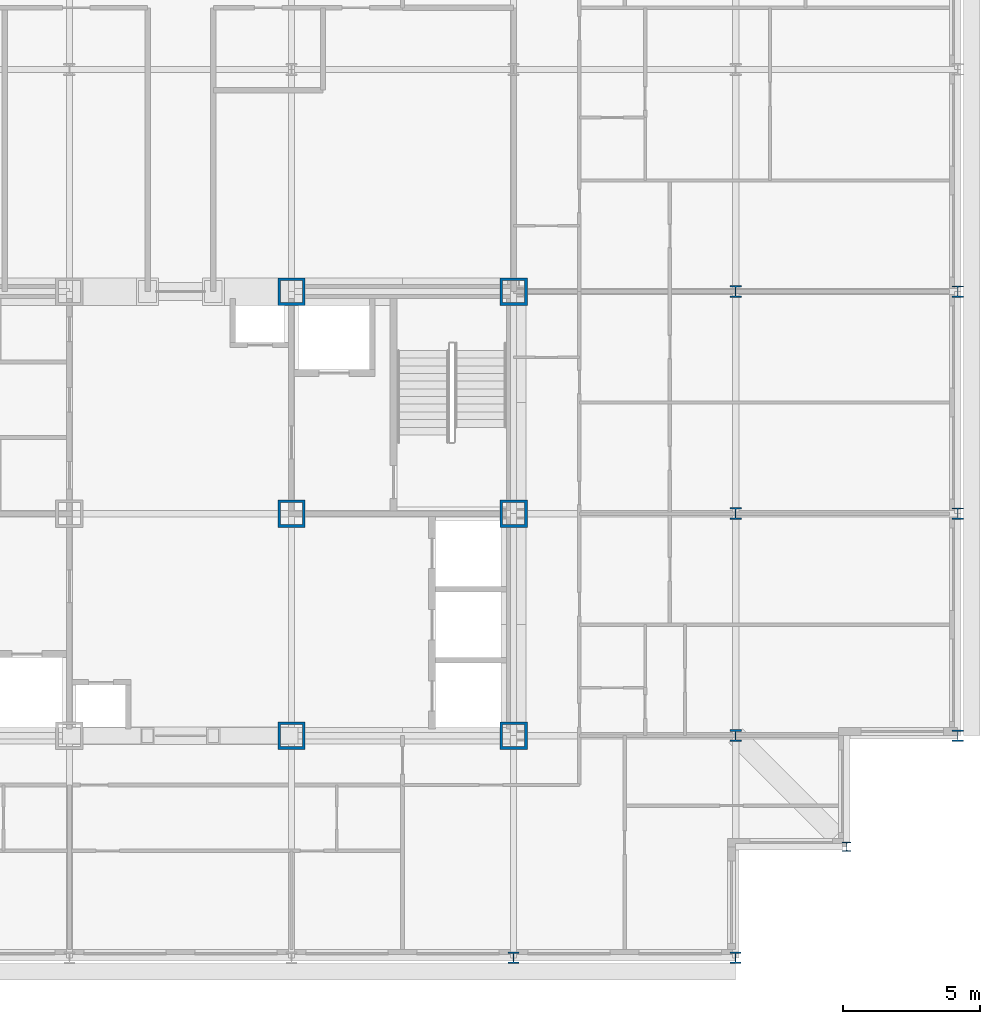
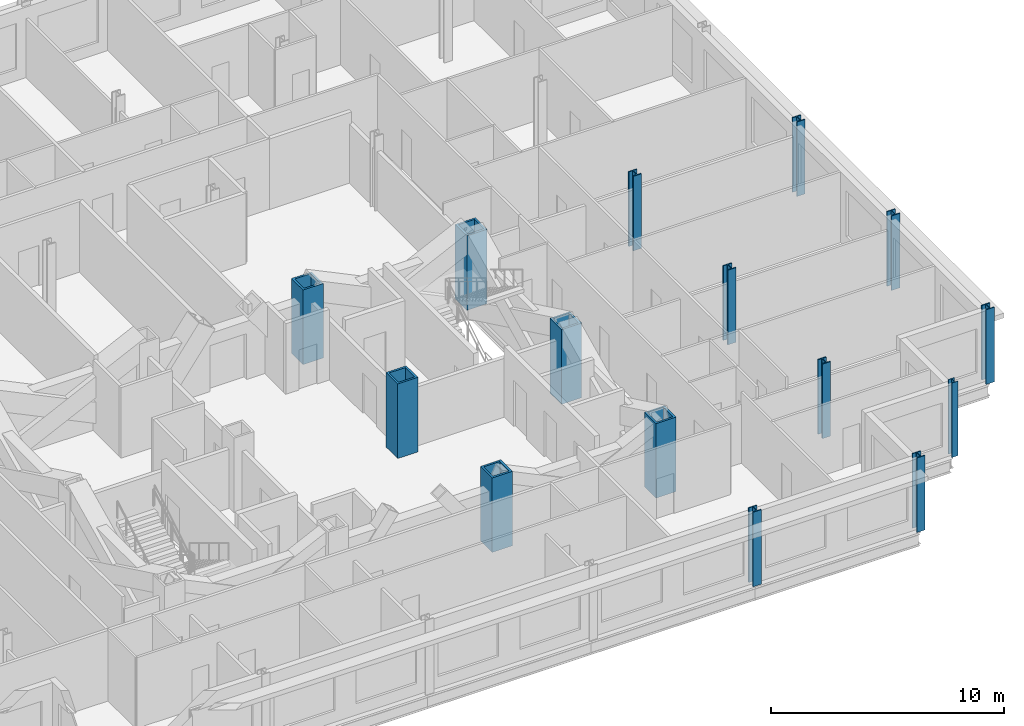
# One storey, part 2 of 15: 15 columns.
"""IFC4 building model written with IfcOpenShell, lengths in metres."""

import ifcopenshell
import ifcopenshell.guid

model = None  # the IFC model being written
_history = None  # IfcOwnerHistory: only IFC2X3 demands one
_inside = {}  # id of a spatial element -> (the spatial element, [elements in it])
_under = {}  # id of a project, library or spatial element -> (it, [spatial elements below it])
_declared = {}  # id of a project -> (the project, [libraries it declares])
_typed = {}  # id of a type object -> (the type object, [elements of that type])
_made_of = {}  # id of a material, layer set ... -> (it, [elements and type objects made of it])


def new_model(schema):
    """Start an empty IFC model of exactly this schema.

    Asked for "IFC4X3", IfcOpenShell would pick the latest addendum, in which some entities
    have other attributes; the version numbers below select the first issue.
    IFC2X3 requires an IfcOwnerHistory on every rooted entity: one is made here for all.
    """
    global model, _history
    if schema == "IFC4X3":
        model = ifcopenshell.file(schema_version=(4, 3, 0, 0))
    else:
        model = ifcopenshell.file(schema=schema)
    _inside.clear()
    _under.clear()
    _declared.clear()
    _typed.clear()
    _made_of.clear()
    _history = None
    if model.schema == "IFC2X3":
        org = make("IfcOrganization", Name="unknown")
        user = make(
            "IfcPersonAndOrganization",
            ThePerson=make("IfcPerson", FamilyName="unknown"),
            TheOrganization=org,
        )
        app = make(
            "IfcApplication",
            ApplicationDeveloper=org,
            Version="unknown",
            ApplicationFullName="unknown",
            ApplicationIdentifier="unknown",
        )
        _history = make(
            "IfcOwnerHistory",
            OwningUser=user,
            OwningApplication=app,
            ChangeAction="ADDED",
            CreationDate=0,
        )
    return model


def make(cls, **values):
    """One entity of the class cls with the attributes given. An attribute that is None is left unset."""
    return model.create_entity(
        cls, **{name: value for name, value in values.items() if value is not None}
    )


def rooted(cls, **values):
    """An entity with a GlobalId (a new one), such as an element, a storey or a relation."""
    return make(cls, GlobalId=ifcopenshell.guid.new(), OwnerHistory=_history, **values)


def si_unit(unit_type, name, prefix=None):
    """IfcSIUnit, for example si_unit("LENGTHUNIT", "METRE", prefix="MILLI")."""
    return make("IfcSIUnit", UnitType=unit_type, Prefix=prefix, Name=name)


def assignment(units):
    """IfcUnitAssignment: the units of a project."""
    return None if units is None else make("IfcUnitAssignment", Units=units)


def point(xyz):
    """IfcCartesianPoint."""
    return None if xyz is None else make("IfcCartesianPoint", Coordinates=xyz)


def direction(xyz):
    """IfcDirection."""
    return None if xyz is None else make("IfcDirection", DirectionRatios=xyz)


def frame(location, z_axis=None, x_axis=None):
    """IfcAxis2Placement3D, a coordinate frame: its origin and axes. An axis left out is left unset."""
    return make(
        "IfcAxis2Placement3D",
        Location=point(location),
        Axis=direction(z_axis),
        RefDirection=direction(x_axis),
    )


def frame_2d(location, x_axis=None):
    """IfcAxis2Placement2D, a coordinate frame in the plane: its origin and x axis."""
    return make(
        "IfcAxis2Placement2D", Location=point(location), RefDirection=direction(x_axis)
    )


def origin():
    """The frame at (0, 0, 0) with its axes left unset."""
    return frame((0.0, 0.0, 0.0))


def origin_2d():
    """The frame at (0, 0) in the plane with its x axis left unset."""
    return frame_2d((0.0, 0.0))


def place(relative_to, where):
    """IfcLocalPlacement: puts the frame where relative to a parent placement (None: the world)."""
    return make(
        "IfcLocalPlacement", PlacementRelTo=relative_to, RelativePlacement=where
    )


def context(
    kind, dimensions, precision=None, world=None, true_north=None, identifier=None
):
    """IfcGeometricRepresentationContext, for example the 3D "Model" context."""
    return make(
        "IfcGeometricRepresentationContext",
        ContextIdentifier=identifier,
        ContextType=kind,
        CoordinateSpaceDimension=dimensions,
        Precision=precision,
        WorldCoordinateSystem=world,
        TrueNorth=true_north,
    )


def subcontext(parent, identifier, kind, view, scale=None):
    """IfcGeometricRepresentationSubContext, for example "Body" below "Model"."""
    return make(
        "IfcGeometricRepresentationSubContext",
        ContextIdentifier=identifier,
        ContextType=kind,
        ParentContext=parent,
        TargetScale=scale,
        TargetView=view,
    )


def project(units=None, contexts=None):
    """IfcProject with its units and contexts."""
    return rooted(
        "IfcProject",
        Name="project",
        RepresentationContexts=contexts,
        UnitsInContext=assignment(units),
    )


def spatial(cls, under=None, at=None, **own):
    """A site, building, storey or space (cls), placed at a placement, below another one or the project."""
    s = rooted(cls, ObjectPlacement=at, **own)
    if under is not None:
        _under.setdefault(under.id(), (under, []))[1].append(s)
    return s


def profile(cls, at=None, kind="AREA", **sizes):
    """A parametric profile (cls). Its sizes go by their IFC names, for example OverallWidth=200.0."""
    return make(cls, ProfileType=kind, Position=at, **sizes)


def hollow_rectangle(**sizes):
    """IfcRectangleHollowProfileDef."""
    return profile("IfcRectangleHollowProfileDef", **sizes)


def i_section(**sizes):
    """IfcIShapeProfileDef."""
    return profile("IfcIShapeProfileDef", **sizes)


def extrude(swept, where, along, depth):
    """IfcExtrudedAreaSolid: the profile swept, set in the frame where, extruded along a direction by depth."""
    return make(
        "IfcExtrudedAreaSolid",
        SweptArea=swept,
        Position=where,
        ExtrudedDirection=direction(along),
        Depth=depth,
    )


def shape(context_of_items, identifier, shape_type, items):
    """IfcShapeRepresentation: the items that make up one representation, for example the "Body"."""
    return make(
        "IfcShapeRepresentation",
        ContextOfItems=context_of_items,
        RepresentationIdentifier=identifier,
        RepresentationType=shape_type,
        Items=items,
    )


def material(Name=None, Category=None):
    """IfcMaterial."""
    return make("IfcMaterial", Name=Name, Category=Category)


def material_profile(
    of_material, cross_section, Name=None, Category=None, Priority=None
):
    """IfcMaterialProfile: a cross section and its material."""
    return make(
        "IfcMaterialProfile",
        Name=Name,
        Material=of_material,
        Profile=cross_section,
        Priority=Priority,
        Category=Category,
    )


def profile_set(profiles, Name=None, composite=None):
    """IfcMaterialProfileSet."""
    return make(
        "IfcMaterialProfileSet",
        Name=Name,
        MaterialProfiles=profiles,
        CompositeProfile=composite,
    )


def made_of(thing, what):
    """Note that an element or type object is made of a material, layer set ...; save() writes the relation."""
    if what is not None:
        _made_of.setdefault(what.id(), (what, []))[1].append(thing)
    return thing


def type_object(cls, material=None, **own):
    """A type object (cls), such as IfcWallType, which elements share."""
    return made_of(rooted(cls, **own), material)


def element(
    cls,
    number,
    at=None,
    inside=None,
    cuts=None,
    type_object=None,
    material=None,
    context=None,
    identifier="Body",
    shape_type=None,
    held_by="IfcProductDefinitionShape",
    body=None,
    shapes=None,
    **own,
):
    """One element of the class cls, such as IfcWall. Its Tag is "e" and its number.

    at: its placement. inside: the storey or other place that contains it. cuts: it is an
    opening in that element (IfcRelVoidsElement). A single representation is given by context,
    identifier, shape_type and body (its items); several are given by shapes. held_by: the class
    of the entity that holds the representations. save() writes the other relations.
    """
    e = rooted(cls, Tag="e%d" % number, ObjectPlacement=at, **own)
    if body is not None:
        shapes = [shape(context, identifier, shape_type, body)]
    if shapes is not None:
        e.Representation = make(held_by, Representations=shapes)
    if inside is not None:
        _inside.setdefault(inside.id(), (inside, []))[1].append(e)
    if cuts is not None:
        rooted(
            "IfcRelVoidsElement", RelatingBuildingElement=cuts, RelatedOpeningElement=e
        )
    if type_object is not None:
        _typed.setdefault(type_object.id(), (type_object, []))[1].append(e)
    return made_of(e, material)


def aggregate(whole, parts):
    """IfcRelAggregates: a whole, such as a stair, and the parts it consists of."""
    return rooted("IfcRelAggregates", RelatingObject=whole, RelatedObjects=parts)


def save(model, path):
    """Write the relations noted so far, then the file.

    IfcRelAggregates (storeys below a building ...), IfcRelContainedInSpatialStructure (elements
    in a storey), IfcRelDefinesByType, IfcRelAssociatesMaterial and IfcRelDeclares: one each for
    every whole, place, type object, material and project.
    """
    for whole, parts in _under.values():
        aggregate(whole, parts)
    for where, things in _inside.values():
        rooted(
            "IfcRelContainedInSpatialStructure",
            RelatedElements=things,
            RelatingStructure=where,
        )
    for kind, things in _typed.values():
        rooted("IfcRelDefinesByType", RelatedObjects=things, RelatingType=kind)
    for what, things in _made_of.values():
        rooted("IfcRelAssociatesMaterial", RelatedObjects=things, RelatingMaterial=what)
    for by, libraries in _declared.values():
        rooted("IfcRelDeclares", RelatingContext=by, RelatedDefinitions=libraries)
    model.write(path)


model = new_model("IFC4")

# Units and contexts
model_context = context("Model", 3, precision=1e-05, world=origin(), true_north=direction((0.0, 1.0)))
body_context = subcontext(model_context, "Body", "Model", "MODEL_VIEW")
ifc_project = project(units=[si_unit("LENGTHUNIT", "METRE"), si_unit("AREAUNIT", "SQUARE_METRE"), si_unit("VOLUMEUNIT", "CUBIC_METRE"), si_unit("PLANEANGLEUNIT", "RADIAN"), si_unit("MASSUNIT", "GRAM", prefix="KILO")], contexts=[model_context])

# Site, building, storey
site_placement = place(None, origin())
site = spatial("IfcSite", under=ifc_project, at=site_placement, CompositionType="ELEMENT")
building_placement = place(site_placement, origin())
building = spatial("IfcBuilding", under=site, at=building_placement, Name="Kopane Lantern Tower", CompositionType="ELEMENT")
storey_placement = place(building_placement, frame((0.0, 0.0, 277.5)))
storey = spatial("IfcBuildingStorey", under=building, at=storey_placement, Name="L71", CompositionType="ELEMENT", Elevation=277.5)

# Columns
ifc_material_1 = material(Name="Steel S355JR", Category="steel")
ifc_material_profile_1 = material_profile(ifc_material_1, hollow_rectangle(XDim=1.0, YDim=1.0, WallThickness=0.10009765625, at=origin_2d()), Name="BOX 1000x1000x100")
ifc_profile_set_1 = profile_set([ifc_material_profile_1], Name="Steel S355JR")
column_type_1 = type_object("IfcColumnType", Name="COLUMN BOX 1000x1000x100", PredefinedType="COLUMN", material=ifc_profile_set_1)
for number, where, z_axis, x_axis, name in (
    (1, (32.39990234375, 24.300048828125, 0.0), (0.0, 0.0, 1.0), (1.0, 0.0, 0.0), "Column 6/E L71"),
    (2, (32.39990234375, 32.39990234375, 0.0), (0.0, 0.0, 1.0), (1.0, 0.0, 0.0), "Column 6/F L71"),
    (3, (32.39990234375, 40.5, 0.0), (0.0, 0.0, 1.0), (1.0, 0.0, 0.0), "Column 6/G L71"),
    (4, (40.5, 24.300048828125, 0.0), (0.0, 0.0, 1.0), (1.0, 0.0, 0.0), "Column 7/E L71"),
    (5, (40.5, 32.39990234375, 0.0), (0.0, 0.0, 1.0), (1.0, 0.0, 0.0), "Column 7/F L71"),
    (6, (40.5, 40.5, 0.0), (0.0, 0.0, 1.0), (1.0, 0.0, 0.0), "Column 7/G L71"),
):
    element("IfcColumn", number, at=place(storey_placement, frame(where, z_axis=z_axis, x_axis=x_axis)), inside=storey, type_object=column_type_1, Name=name, PredefinedType="COLUMN", context=body_context, shape_type="SweptSolid", body=[
        extrude(hollow_rectangle(XDim=1.0, YDim=1.0, WallThickness=0.10009765625, at=origin_2d()), origin(), (0.0, 0.0, 1.0), 3.89990234375),
    ])
ifc_material_2 = material(Name="Steel S355JR", Category="steel")
ifc_material_profile_2 = material_profile(ifc_material_2, i_section(OverallWidth=0.307373046875, OverallDepth=0.314453125, WebThickness=0.011962890625, FlangeThickness=0.018798828125, FilletRadius=0.01513671875, at=origin_2d()), Name="UC 305x305x118")
ifc_profile_set_2 = profile_set([ifc_material_profile_2], Name="Steel S355JR")
column_type_2 = type_object("IfcColumnType", Name="COLUMN UC 305x305x118", PredefinedType="COLUMN", material=ifc_profile_set_2)
column_placement = place(storey_placement, frame((52.64990234375, 20.25, 0.0), z_axis=(0.0, 0.0, 1.0), x_axis=(1.0, 0.0, 0.0)))
element("IfcColumn", 7, at=column_placement, inside=storey, type_object=column_type_2, Name="Column 52.65/20.25 L71", PredefinedType="COLUMN", context=body_context, shape_type="SweptSolid", body=[
    extrude(i_section(OverallWidth=0.307373046875, OverallDepth=0.314453125, WebThickness=0.011962890625, FlangeThickness=0.018798828125, FilletRadius=0.01513671875, at=origin_2d()), origin(), (0.0, 0.0, 1.0), 3.89990234375),
])
ifc_material_3 = material(Name="Steel S355JR", Category="steel")
ifc_material_profile_3 = material_profile(ifc_material_3, i_section(OverallWidth=0.406982421875, OverallDepth=0.4189453125, WebThickness=0.030517578125, FlangeThickness=0.04931640625, FilletRadius=0.01513671875, at=origin_2d()), Name="UC 356x406x393")
ifc_profile_set_3 = profile_set([ifc_material_profile_3], Name="Steel S355JR")
column_type_3 = type_object("IfcColumnType", Name="COLUMN UC 356x406x393", PredefinedType="COLUMN", material=ifc_profile_set_3)
for number, where, z_axis, x_axis, name in (
    (8, (40.5, 16.199951171875, 0.0), (0.0, 0.0, 1.0), (1.0, 0.0, 0.0), "Column 7/D L71"),
    (9, (48.60009765625, 16.199951171875, 0.0), (0.0, 0.0, 1.0), (1.0, 0.0, 0.0), "Column 8/D L71"),
    (10, (56.699951171875, 24.300048828125, 0.0), (0.0, 0.0, 1.0), (1.0, 0.0, 0.0), "Column 9/E L71"),
    (11, (56.699951171875, 32.39990234375, 0.0), (0.0, 0.0, 1.0), (1.0, 0.0, 0.0), "Column 9/F L71"),
    (12, (56.699951171875, 40.5, 0.0), (0.0, 0.0, 1.0), (1.0, 0.0, 0.0), "Column 9/G L71"),
):
    element("IfcColumn", number, at=place(storey_placement, frame(where, z_axis=z_axis, x_axis=x_axis)), inside=storey, type_object=column_type_3, Name=name, PredefinedType="COLUMN", context=body_context, shape_type="SweptSolid", body=[
        extrude(i_section(OverallWidth=0.406982421875, OverallDepth=0.4189453125, WebThickness=0.030517578125, FlangeThickness=0.04931640625, FilletRadius=0.01513671875, at=origin_2d()), origin(), (0.0, 0.0, 1.0), 3.89990234375),
    ])
ifc_material_4 = material(Name="Steel S355JR", Category="steel")
ifc_material_profile_4 = material_profile(ifc_material_4, i_section(OverallWidth=0.412109375, OverallDepth=0.4365234375, WebThickness=0.035888671875, FlangeThickness=0.05810546875, FilletRadius=0.01513671875, at=origin_2d()), Name="UC 356x406x467")
ifc_profile_set_4 = profile_set([ifc_material_profile_4], Name="Steel S355JR")
column_type_4 = type_object("IfcColumnType", Name="COLUMN UC 356x406x467", PredefinedType="COLUMN", material=ifc_profile_set_4)
for number, where, z_axis, x_axis, name in (
    (13, (48.60009765625, 24.300048828125, 0.0), (0.0, 0.0, 1.0), (1.0, 0.0, 0.0), "Column 8/E L71"),
    (14, (48.60009765625, 32.39990234375, 0.0), (0.0, 0.0, 1.0), (1.0, 0.0, 0.0), "Column 8/F L71"),
    (15, (48.60009765625, 40.5, 0.0), (0.0, 0.0, 1.0), (1.0, 0.0, 0.0), "Column 8/G L71"),
):
    element("IfcColumn", number, at=place(storey_placement, frame(where, z_axis=z_axis, x_axis=x_axis)), inside=storey, type_object=column_type_4, Name=name, PredefinedType="COLUMN", context=body_context, shape_type="SweptSolid", body=[
        extrude(i_section(OverallWidth=0.412109375, OverallDepth=0.4365234375, WebThickness=0.035888671875, FlangeThickness=0.05810546875, FilletRadius=0.01513671875, at=origin_2d()), origin(), (0.0, 0.0, 1.0), 3.89990234375),
    ])

save(model, "model.ifc")
